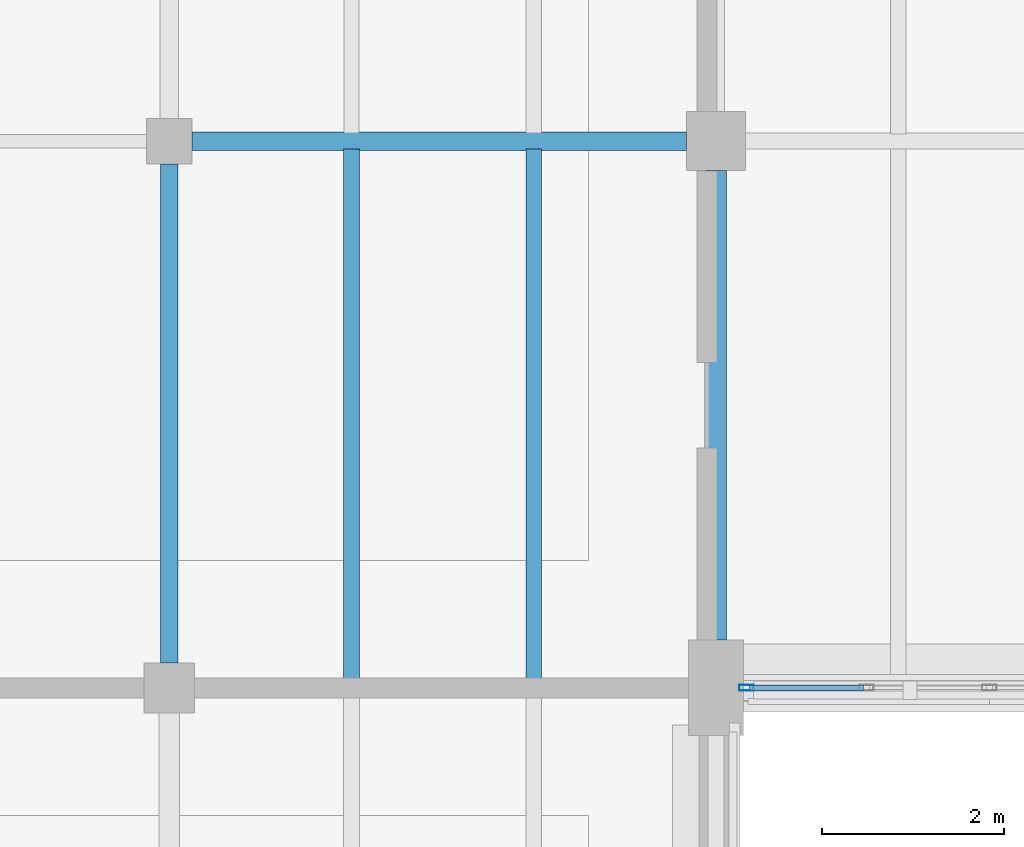
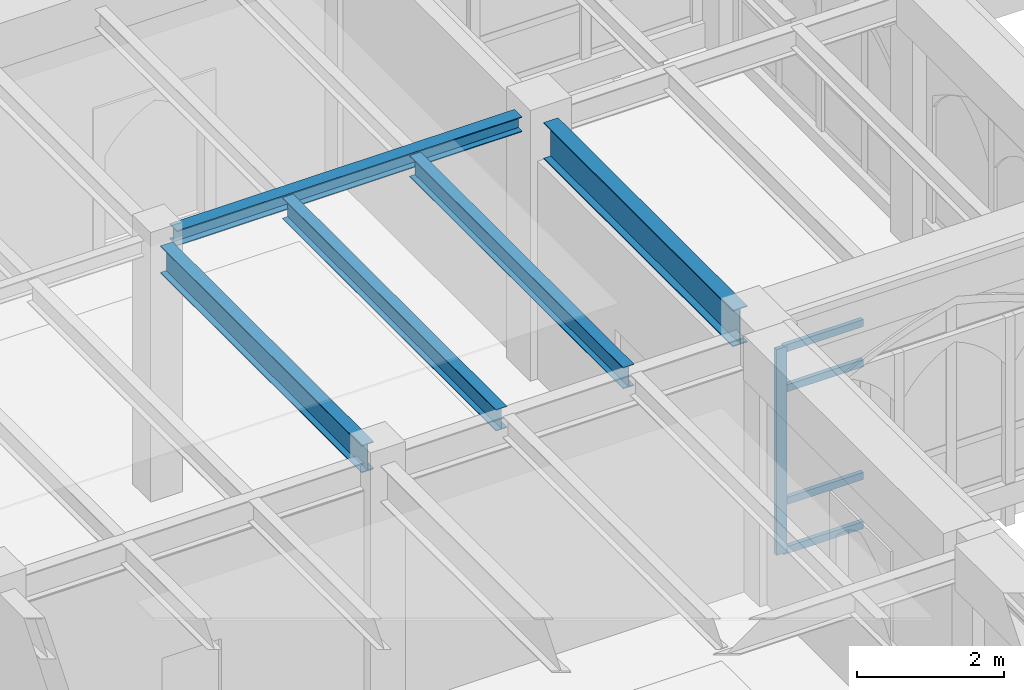
# One storey, part 51 of 127: 5 beams, 5 members, 1 element without a shape of its own.
"""IFC4 building model written with IfcOpenShell, lengths in metres."""

from ifc_helpers import new_model, si_unit, direction, frame, origin, origin_2d, place, context, subcontext, project, spatial, hollow_rectangle, i_section, extrude, material, layer, layer_set, material_profile, profile_set, type_object, element, aggregate, save


model = new_model("IFC4")

# Units and contexts
model_context = context("Model", 3, precision=1e-05, world=origin(), true_north=direction((0.0, 1.0)))
body_context = subcontext(model_context, "Body", "Model", "MODEL_VIEW")
ifc_project = project(units=[si_unit("LENGTHUNIT", "METRE"), si_unit("AREAUNIT", "SQUARE_METRE"), si_unit("VOLUMEUNIT", "CUBIC_METRE"), si_unit("PLANEANGLEUNIT", "RADIAN"), si_unit("MASSUNIT", "GRAM", prefix="KILO")], contexts=[model_context])

# Site, building, storey
site_placement = place(None, origin())
site = spatial("IfcSite", under=ifc_project, at=site_placement, CompositionType="ELEMENT")
building_placement = place(site_placement, origin())
building = spatial("IfcBuilding", under=site, at=building_placement, Name="Cumevento Cable Car Station", CompositionType="ELEMENT")
storey_placement = place(building_placement, frame((0.0, 0.0, 4.5)))
storey = spatial("IfcBuildingStorey", under=building, at=storey_placement, Name="L02", CompositionType="ELEMENT", Elevation=4.5)

# Curtain wall, members
ifc_material_1 = material(Name="Anodised Bronze Aluminium AW-6063-T6", Category="aluminium")
ifc_layer = layer(ifc_material_1, 0.23193359375)
ifc_layer_set = layer_set([ifc_layer], Name="Anodised Bronze Aluminium AW-6063-T6")
curtain_wall_type = type_object("IfcCurtainWallType", Name="Lancet Curtain Wall CW-13 1530", PredefinedType="NOTDEFINED", material=ifc_layer_set)
curtain_wall_placement = place(storey_placement, origin())
curtain_wall = element("IfcCurtainWall", 1, at=curtain_wall_placement, inside=storey, type_object=curtain_wall_type, Name="Lancet Curtain Wall CW-13 L02 #60", PredefinedType="NOTDEFINED")
ifc_material_2 = material(Name="Anodised Bronze Aluminium AW-6063-T6", Category="aluminium")
ifc_material_profile_1 = material_profile(ifc_material_2, hollow_rectangle(XDim=0.06494140625, YDim=0.159912109375, WallThickness=0.00390625, at=origin_2d()), Name="ALUM65x160x4")
ifc_profile_set_1 = profile_set([ifc_material_profile_1], Name="Anodised Bronze Aluminium AW-6063-T6")
member_type_1 = type_object("IfcMemberType", Name="Curtain Mullion CWM-01 ALUM65x160x4", PredefinedType="MULLION", material=ifc_profile_set_1)
member_1_placement = place(storey_placement, frame((82.33251953125, 45.0, 0.360107421875), z_axis=(0.0, 0.0, 1.0), x_axis=(0.0, -1.0, 0.0)))
member_1 = element("IfcMember", 2, at=member_1_placement, type_object=member_type_1, Name="CW-13 mullion 5", PredefinedType="MULLION", context=body_context, shape_type="SweptSolid", body=[
    extrude(hollow_rectangle(XDim=0.06494140625, YDim=0.159912109375, WallThickness=0.00390625, at=origin_2d()), origin(), (0.0, 0.0, 1.0), 3.4228515625),
])
ifc_material_3 = material(Name="Anodised Bronze Aluminium AW-6063-T6", Category="aluminium")
ifc_material_profile_2 = material_profile(ifc_material_3, hollow_rectangle(XDim=0.06494140625, YDim=0.1201171875, WallThickness=0.00390625, at=origin_2d()), Name="ALUT65x120x4")
ifc_profile_set_2 = profile_set([ifc_material_profile_2], Name="Anodised Bronze Aluminium AW-6063-T6")
member_type_2 = type_object("IfcMemberType", Name="Curtain Transom CWT-01 ALUT65x120x4", PredefinedType="USERDEFINED", material=ifc_profile_set_2)
member_2_placement = place(storey_placement, frame((83.617431640625, 45.0, 0.392578125), z_axis=(-1.0, 0.0, 0.0), x_axis=(0.0, -1.0, 0.0)))
member_2 = element("IfcMember", 3, at=member_2_placement, type_object=member_type_2, Name="CW-13 transom 4.1", ObjectType="TRANSOM", PredefinedType="USERDEFINED", context=body_context, shape_type="SweptSolid", body=[
    extrude(hollow_rectangle(XDim=0.06494140625, YDim=0.1201171875, WallThickness=0.00390625, at=origin_2d()), origin(), (0.0, 0.0, 1.0), 1.25244140625),
])
member_3_placement = place(storey_placement, frame((83.617431640625, 45.0, 1.2099609375), z_axis=(-1.0, 0.0, 0.0), x_axis=(0.0, -1.0, 0.0)))
member_3 = element("IfcMember", 4, at=member_3_placement, type_object=member_type_2, Name="CW-13 transom 4.2", ObjectType="TRANSOM", PredefinedType="USERDEFINED", context=body_context, shape_type="SweptSolid", body=[
    extrude(hollow_rectangle(XDim=0.06494140625, YDim=0.1201171875, WallThickness=0.00390625, at=origin_2d()), origin(), (0.0, 0.0, 1.0), 1.25244140625),
])
member_4_placement = place(storey_placement, frame((83.617431640625, 45.0, 3.0830078125), z_axis=(-1.0, 0.0, 0.0), x_axis=(0.0, -1.0, 0.0)))
member_4 = element("IfcMember", 5, at=member_4_placement, type_object=member_type_2, Name="CW-13 transom 4.3", ObjectType="TRANSOM", PredefinedType="USERDEFINED", context=body_context, shape_type="SweptSolid", body=[
    extrude(hollow_rectangle(XDim=0.06494140625, YDim=0.1201171875, WallThickness=0.00390625, at=origin_2d()), origin(), (0.0, 0.0, 1.0), 1.25244140625),
])
member_5_placement = place(storey_placement, frame((83.617431640625, 45.0, 3.75048828125), z_axis=(-1.0, 0.0, 0.0), x_axis=(0.0, -1.0, 0.0)))
member_5 = element("IfcMember", 6, at=member_5_placement, type_object=member_type_2, Name="CW-13 transom 4.4", ObjectType="TRANSOM", PredefinedType="USERDEFINED", context=body_context, shape_type="SweptSolid", body=[
    extrude(hollow_rectangle(XDim=0.06494140625, YDim=0.1201171875, WallThickness=0.00390625, at=origin_2d()), origin(), (0.0, 0.0, 1.0), 1.25244140625),
])
aggregate(curtain_wall, [member_1, member_2, member_3, member_4, member_5])

# Beams
ifc_material_4 = material(Name="Steel ASTM A572 Grade 50", Category="steel")
ifc_material_profile_3 = material_profile(ifc_material_4, i_section(OverallWidth=0.22802734375, OverallDepth=0.60791015625, WebThickness=0.01123046875, FlangeThickness=0.017333984375, at=origin_2d()), Name="W610x113.0")
ifc_profile_set_3 = profile_set([ifc_material_profile_3], Name="Steel ASTM A572 Grade 50")
beam_type_1 = type_object("IfcBeamType", Name="Structural Beam BM-02 W610x113.0", PredefinedType="BEAM", material=ifc_profile_set_3)
beam_1_placement = place(storey_placement, frame((82.0, 45.52490234375, 3.924072265625), z_axis=(0.0, 1.0, 0.0), x_axis=(-1.0, 0.0, 0.0)))
element("IfcBeam", 7, at=beam_1_placement, inside=storey, type_object=beam_type_1, Name="Beam BM-02 L02 #607", PredefinedType="BEAM", context=body_context, shape_type="SweptSolid", body=[
    extrude(i_section(OverallWidth=0.22802734375, OverallDepth=0.60791015625, WebThickness=0.01123046875, FlangeThickness=0.017333984375, at=origin_2d()), origin(), (0.0, 0.0, 1.0), 5.150146484375),
])
ifc_material_5 = material(Name="Steel ASTM A572 Grade 50", Category="steel")
ifc_material_profile_4 = material_profile(ifc_material_5, i_section(OverallWidth=0.18994140625, OverallDepth=0.45703125, WebThickness=0.009033203125, FlangeThickness=0.014404296875, at=origin_2d()), Name="W460x74.0")
ifc_profile_set_4 = profile_set([ifc_material_profile_4], Name="Steel ASTM A572 Grade 50")
beam_type_2 = type_object("IfcBeamType", Name="Structural Beam BM-04 W460x74.0", PredefinedType="BEAM", material=ifc_profile_set_4)
beam_2_placement = place(storey_placement, frame((76.0, 45.27490234375, 3.99951171875), z_axis=(0.0, 1.0, 0.0), x_axis=(-1.0, 0.0, 0.0)))
element("IfcBeam", 8, at=beam_2_placement, inside=storey, type_object=beam_type_2, Name="Beam BM-04 L02 #605", PredefinedType="BEAM", context=body_context, shape_type="SweptSolid", body=[
    extrude(i_section(OverallWidth=0.18994140625, OverallDepth=0.45703125, WebThickness=0.009033203125, FlangeThickness=0.014404296875, at=origin_2d()), origin(), (0.0, 0.0, 1.0), 5.47509765625),
])
ifc_material_6 = material(Name="Steel ASTM A572 Grade 50", Category="steel")
ifc_material_profile_5 = material_profile(ifc_material_6, i_section(OverallWidth=0.202880859375, OverallDepth=0.251953125, WebThickness=0.008056640625, FlangeThickness=0.013427734375, at=origin_2d()), Name="W250x58.0")
ifc_profile_set_5 = profile_set([ifc_material_profile_5], Name="Steel ASTM A572 Grade 50")
beam_type_3 = type_object("IfcBeamType", Name="Structural Beam BM-08 W250x58.0", PredefinedType="BEAM", material=ifc_profile_set_5)
beam_3_placement = place(storey_placement, frame((76.25, 51.0, 4.137939453125), z_axis=(1.0, 0.0, 0.0), x_axis=(0.0, 1.0, 0.0)))
element("IfcBeam", 9, at=beam_3_placement, inside=storey, type_object=beam_type_3, Name="Beam BM-08 L02 #597", PredefinedType="BEAM", context=body_context, shape_type="SweptSolid", body=[
    extrude(i_section(OverallWidth=0.202880859375, OverallDepth=0.251953125, WebThickness=0.008056640625, FlangeThickness=0.013427734375, at=origin_2d()), origin(), (0.0, 0.0, 1.0), 5.425048828125),
])
ifc_material_7 = material(Name="Steel ASTM A572 Grade 50", Category="steel")
ifc_material_profile_6 = material_profile(ifc_material_7, i_section(OverallWidth=0.1708984375, OverallDepth=0.35498046875, WebThickness=0.007080078125, FlangeThickness=0.01171875, at=origin_2d()), Name="W360x51.0")
ifc_profile_set_6 = profile_set([ifc_material_profile_6], Name="Steel ASTM A572 Grade 50")
beam_type_4 = type_object("IfcBeamType", Name="Structural Joist JS-01 W360x51.0", PredefinedType="JOIST", material=ifc_profile_set_6)
for number, where, z_axis, x_axis, name in (
    (10, (78.0, 45.093505859375, 4.050537109375), (0.0, 1.0, 0.0), (-1.0, 0.0, 0.0), "Composite Floor Joist JS-01 L02 #826"),
    (11, (80.0, 45.093505859375, 4.050537109375), (0.0, 1.0, 0.0), (-1.0, 0.0, 0.0), "Composite Floor Joist JS-01 L02 #828"),
):
    element("IfcBeam", number, at=place(storey_placement, frame(where, z_axis=z_axis, x_axis=x_axis)), inside=storey, type_object=beam_type_4, Name=name, PredefinedType="JOIST", context=body_context, shape_type="SweptSolid", body=[
        extrude(i_section(OverallWidth=0.1708984375, OverallDepth=0.35498046875, WebThickness=0.007080078125, FlangeThickness=0.01171875, at=origin_2d()), origin(), (0.0, 0.0, 1.0), 5.81689453125),
    ])

save(model, "model.ifc")
